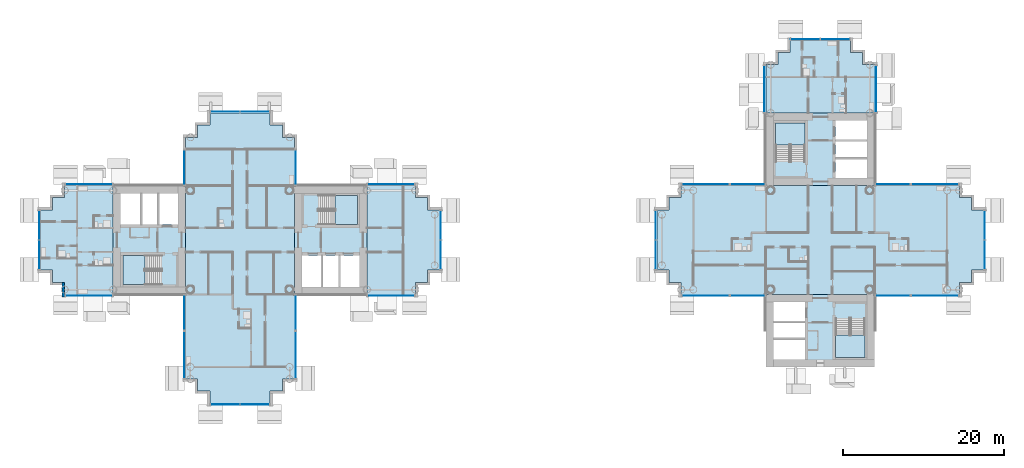
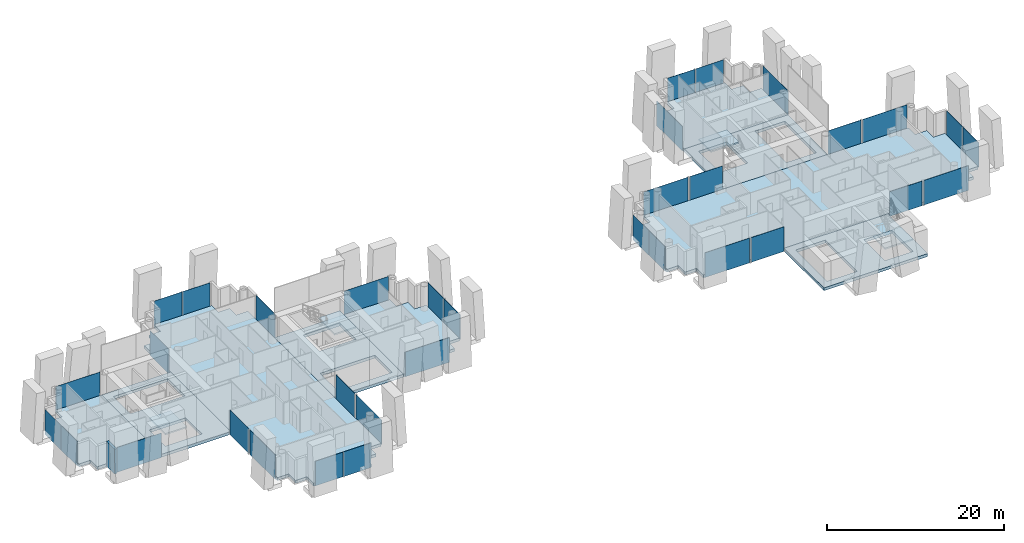
# One storey, part 7 of 21: 34 plates, 13 slabs, 1 wall, 31 elements without a shape of their own.
"""IFC4 building model written with IfcOpenShell, lengths in metres."""

from ifc_helpers import new_model, si_unit, direction, frame, frame_2d, origin, origin_2d, place, context, subcontext, project, spatial, polyline, rectangle, outline, extrude, material, layer, layer_set, type_object, element, aggregate, save


model = new_model("IFC4")

# Units and contexts
model_context = context("Model", 3, precision=1e-05, world=origin(), true_north=direction((0.0, 1.0)))
body_context = subcontext(model_context, "Body", "Model", "MODEL_VIEW")
ifc_project = project(units=[si_unit("LENGTHUNIT", "METRE"), si_unit("AREAUNIT", "SQUARE_METRE"), si_unit("VOLUMEUNIT", "CUBIC_METRE"), si_unit("PLANEANGLEUNIT", "RADIAN"), si_unit("MASSUNIT", "GRAM", prefix="KILO")], contexts=[model_context])

# Site, building, storey
site_placement = place(None, origin())
site = spatial("IfcSite", under=ifc_project, at=site_placement, CompositionType="ELEMENT")
building_placement = place(site_placement, origin())
building = spatial("IfcBuilding", under=site, at=building_placement, Name="Ipe Terrace Towers", CompositionType="ELEMENT")
storey_placement = place(building_placement, frame((0.0, 0.0, 80.0)))
storey = spatial("IfcBuildingStorey", under=building, at=storey_placement, Name="L21", CompositionType="ELEMENT", Elevation=80.0)

# Slabs
ifc_material_1 = material(Name="Concrete C30/37", Category="concrete")
ifc_layer_1 = layer(ifc_material_1, 0.39990234375)
ifc_layer_set_1 = layer_set([ifc_layer_1], Name="CORE FLOOR SLAB 400 C30-37")
slab_type_1 = type_object("IfcSlabType", Name="CORE FLOOR SLAB 400 C30-37", PredefinedType="FLOOR", material=ifc_layer_set_1)
slab_1_placement = place(storey_placement, frame((0.0, 0.0, -0.39990234375)))
element("IfcSlab", 1, at=slab_1_placement, inside=storey, type_object=slab_type_1, Name="Core floor T1-C1", PredefinedType="FLOOR", context=body_context, shape_type="SweptSolid", body=[
    extrude(outline(polyline([(-29.25, -6.75), (-29.25, 6.75), (-20.25, 6.75), (-20.25, -6.75), (-29.25, -6.75)]), holes=[polyline([(-28.300048828125, -5.800048828125), (-21.199951171875, -5.800048828125), (-21.199951171875, -1.89990234375), (-28.300048828125, -1.89990234375), (-28.300048828125, -5.800048828125)]), polyline([(-26.199951171875, 5.550048828125), (-26.199951171875, 1.89990234375), (-21.449951171875, 1.89990234375), (-21.449951171875, 5.550048828125), (-26.199951171875, 5.550048828125)])]), origin(), (0.0, 0.0, 1.0), 0.39990234375),
])
slab_2_placement = place(storey_placement, frame((0.0, 0.0, -0.39990234375)))
element("IfcSlab", 2, at=slab_2_placement, inside=storey, type_object=slab_type_1, Name="Core floor T1-C2", PredefinedType="FLOOR", context=body_context, shape_type="SweptSolid", body=[
    extrude(outline(polyline([(-51.75, -6.75), (-51.75, 6.75), (-42.75, 6.75), (-42.75, -6.75), (-51.75, -6.75)]), holes=[polyline([(-45.800048828125, -5.550048828125), (-45.800048828125, -1.89990234375), (-50.550048828125, -1.89990234375), (-50.550048828125, -5.550048828125), (-45.800048828125, -5.550048828125)]), polyline([(-50.800048828125, 1.89990234375), (-43.699951171875, 1.89990234375), (-43.699951171875, 5.800048828125), (-50.800048828125, 5.800048828125), (-50.800048828125, 1.89990234375)])]), origin(), (0.0, 0.0, 1.0), 0.39990234375),
])
slab_3_placement = place(storey_placement, frame((0.0, 0.0, -0.39990234375)))
element("IfcSlab", 3, at=slab_3_placement, inside=storey, type_object=slab_type_1, Name="Core floor T2-C1", PredefinedType="FLOOR", context=body_context, shape_type="SweptSolid", body=[
    extrude(outline(polyline([(29.25, 6.75), (29.25, 15.75), (42.75, 15.75), (42.75, 6.75), (29.25, 6.75)]), holes=[polyline([(41.800048828125, 7.699951171875), (41.800048828125, 14.800048828125), (37.89990234375, 14.800048828125), (37.89990234375, 7.699951171875), (41.800048828125, 7.699951171875)]), polyline([(30.449951171875, 9.800048828125), (34.10009765625, 9.800048828125), (34.10009765625, 14.550048828125), (30.449951171875, 14.550048828125), (30.449951171875, 9.800048828125)])]), origin(), (0.0, 0.0, 1.0), 0.39990234375),
])
slab_4_placement = place(storey_placement, frame((0.0, 0.0, -0.39990234375)))
element("IfcSlab", 4, at=slab_4_placement, inside=storey, type_object=slab_type_1, Name="Core floor T2-C2", PredefinedType="FLOOR", context=body_context, shape_type="SweptSolid", body=[
    extrude(outline(polyline([(29.25, -15.75), (29.25, -6.75), (42.75, -6.75), (42.75, -15.75), (29.25, -15.75)]), holes=[polyline([(34.10009765625, -14.800048828125), (34.10009765625, -7.699951171875), (30.199951171875, -7.699951171875), (30.199951171875, -14.800048828125), (34.10009765625, -14.800048828125)]), polyline([(41.550048828125, -9.800048828125), (37.89990234375, -9.800048828125), (37.89990234375, -14.550048828125), (41.550048828125, -14.550048828125), (41.550048828125, -9.800048828125)])]), origin(), (0.0, 0.0, 1.0), 0.39990234375),
])

# Stair, slab
ifc_material_2 = material(Name="Concrete C30/37", Category="concrete")
stair_type = type_object("IfcStairType", Name="Protected exit stair", PredefinedType="HALF_TURN_STAIR", material=ifc_material_2)
stair_1_placement = place(storey_placement, origin())
stair_1 = element("IfcStair", 5, at=stair_1_placement, inside=storey, type_object=stair_type, Name="L21 Exit stair T1-C1", PredefinedType="HALF_TURN_STAIR")
ifc_material_3 = material(Name="Concrete C30/37", Category="concrete")
ifc_layer_2 = layer(ifc_material_3, 0.199951171875)
ifc_layer_set_2 = layer_set([ifc_layer_2], Name="Exit stair landing 200")
slab_type_2 = type_object("IfcSlabType", Name="Exit stair landing 200", PredefinedType="LANDING", material=ifc_layer_set_2)
slab_5_placement = place(storey_placement, frame((0.0, 0.0, 1.5)))
slab_5 = element("IfcSlab", 6, at=slab_5_placement, type_object=slab_type_2, Name="T1-ST1 landing 1", PredefinedType="LANDING", context=body_context, shape_type="SweptSolid", body=[
    extrude(outline(polyline([(-24.219970703125, 1.89990234375), (-21.449951171875, 1.89990234375), (-21.449951171875, 5.550048828125), (-24.219970703125, 5.550048828125), (-24.219970703125, 1.89990234375)])), origin(), (0.0, 0.0, 1.0), 0.199951171875),
])
aggregate(stair_1, [slab_5])

stair_2_placement = place(storey_placement, origin())
stair_2 = element("IfcStair", 7, at=stair_2_placement, inside=storey, type_object=stair_type, Name="L21 Exit stair T1-C2", PredefinedType="HALF_TURN_STAIR")
slab_6_placement = place(storey_placement, frame((0.0, 0.0, 1.5)))
slab_6 = element("IfcSlab", 8, at=slab_6_placement, type_object=slab_type_2, Name="T1-ST2 landing 1", PredefinedType="LANDING", context=body_context, shape_type="SweptSolid", body=[
    extrude(outline(polyline([(-47.780029296875, -1.89990234375), (-50.550048828125, -1.89990234375), (-50.550048828125, -5.550048828125), (-47.780029296875, -5.550048828125), (-47.780029296875, -1.89990234375)])), origin(), (0.0, 0.0, 1.0), 0.199951171875),
])
aggregate(stair_2, [slab_6])

stair_3_placement = place(storey_placement, origin())
stair_3 = element("IfcStair", 9, at=stair_3_placement, inside=storey, type_object=stair_type, Name="L21 Exit stair T2-C1", PredefinedType="HALF_TURN_STAIR")
slab_7_placement = place(storey_placement, frame((0.0, 0.0, 1.5)))
slab_7 = element("IfcSlab", 10, at=slab_7_placement, type_object=slab_type_2, Name="T2-ST1 landing 1", PredefinedType="LANDING", context=body_context, shape_type="SweptSolid", body=[
    extrude(outline(polyline([(34.10009765625, 11.780029296875), (34.10009765625, 14.550048828125), (30.449951171875, 14.550048828125), (30.449951171875, 11.780029296875), (34.10009765625, 11.780029296875)])), origin(), (0.0, 0.0, 1.0), 0.199951171875),
])
aggregate(stair_3, [slab_7])

stair_4_placement = place(storey_placement, origin())
stair_4 = element("IfcStair", 11, at=stair_4_placement, inside=storey, type_object=stair_type, Name="L21 Exit stair T2-C2", PredefinedType="HALF_TURN_STAIR")
slab_8_placement = place(storey_placement, frame((0.0, 0.0, 1.5)))
slab_8 = element("IfcSlab", 12, at=slab_8_placement, type_object=slab_type_2, Name="T2-ST2 landing 1", PredefinedType="LANDING", context=body_context, shape_type="SweptSolid", body=[
    extrude(outline(polyline([(37.89990234375, -11.780029296875), (37.89990234375, -14.550048828125), (41.550048828125, -14.550048828125), (41.550048828125, -11.780029296875), (37.89990234375, -11.780029296875)])), origin(), (0.0, 0.0, 1.0), 0.199951171875),
])
aggregate(stair_4, [slab_8])

# Slabs
ifc_material_4 = material(Name="Concrete C40/50", Category="concrete")
ifc_layer_3 = layer(ifc_material_4, 0.39990234375)
ifc_layer_set_3 = layer_set([ifc_layer_3], Name="FLAT PLATE SLAB 400 C40-50")
slab_type_3 = type_object("IfcSlabType", Name="FLAT PLATE SLAB 400 C40-50", PredefinedType="FLOOR", material=ifc_layer_set_3)
slab_9_placement = place(storey_placement, frame((0.0, 0.0, -0.39990234375)))
element("IfcSlab", 13, at=slab_9_placement, inside=storey, type_object=slab_type_3, Name="Slab T1-FS-Z21", PredefinedType="FLOOR", context=body_context, shape_type="SweptSolid", body=[
    extrude(outline(polyline([(-30.75, -17.25), (-30.75, -18.75), (-32.25, -18.75), (-32.25, -20.25), (-39.75, -20.25), (-39.75, -18.75), (-41.25, -18.75), (-41.25, -17.25), (-42.75, -17.25), (-42.75, -6.75), (-42.75, 6.75), (-42.75, 12.75), (-41.25, 12.75), (-41.25, 14.25), (-39.75, 14.25), (-39.75, 15.75), (-32.25, 15.75), (-32.25, 14.25), (-30.75, 14.25), (-30.75, 12.75), (-29.25, 12.75), (-29.25, 6.75), (-29.25, -6.75), (-29.25, -17.25), (-30.75, -17.25)])), origin(), (0.0, 0.0, 1.0), 0.39990234375),
])
slab_10_placement = place(storey_placement, frame((0.0, 0.0, -0.39990234375)))
element("IfcSlab", 14, at=slab_10_placement, inside=storey, type_object=slab_type_3, Name="Slab T1-FS-Z22", PredefinedType="FLOOR", context=body_context, shape_type="SweptSolid", body=[
    extrude(outline(polyline([(-57.75, -6.75), (-57.75, -5.25), (-59.25, -5.25), (-59.25, -3.75), (-60.75, -3.75), (-60.75, 3.75), (-59.25, 3.75), (-59.25, 5.25), (-57.75, 5.25), (-57.75, 6.75), (-51.75, 6.75), (-51.75, -6.75), (-57.75, -6.75)])), origin(), (0.0, 0.0, 1.0), 0.39990234375),
])
slab_11_placement = place(storey_placement, frame((0.0, 0.0, -0.39990234375)))
element("IfcSlab", 15, at=slab_11_placement, inside=storey, type_object=slab_type_3, Name="Slab T1-FS-Z23", PredefinedType="FLOOR", context=body_context, shape_type="SweptSolid", body=[
    extrude(outline(polyline([(-14.25, 5.25), (-12.75, 5.25), (-12.75, 3.75), (-11.25, 3.75), (-11.25, -3.75), (-12.75, -3.75), (-12.75, -5.25), (-14.25, -5.25), (-14.25, -6.75), (-20.25, -6.75), (-20.25, 6.75), (-14.25, 6.75), (-14.25, 5.25)])), origin(), (0.0, 0.0, 1.0), 0.39990234375),
])
slab_12_placement = place(storey_placement, frame((0.0, 0.0, -0.39990234375)))
element("IfcSlab", 16, at=slab_12_placement, inside=storey, type_object=slab_type_3, Name="Slab T2-FS-Z21", PredefinedType="FLOOR", context=body_context, shape_type="SweptSolid", body=[
    extrude(outline(polyline([(53.25, 5.25), (54.75, 5.25), (54.75, 3.75), (56.25, 3.75), (56.25, -3.75), (54.75, -3.75), (54.75, -5.25), (53.25, -5.25), (53.25, -6.75), (42.75, -6.75), (29.25, -6.75), (18.75, -6.75), (18.75, -5.25), (17.25, -5.25), (17.25, -3.75), (15.75, -3.75), (15.75, 3.75), (17.25, 3.75), (17.25, 5.25), (18.75, 5.25), (18.75, 6.75), (29.25, 6.75), (42.75, 6.75), (53.25, 6.75), (53.25, 5.25)])), origin(), (0.0, 0.0, 1.0), 0.39990234375),
])
slab_13_placement = place(storey_placement, frame((0.0, 0.0, -0.39990234375)))
element("IfcSlab", 17, at=slab_13_placement, inside=storey, type_object=slab_type_3, Name="Slab T2-FS-Z22", PredefinedType="FLOOR", context=body_context, shape_type="SweptSolid", body=[
    extrude(outline(polyline([(30.75, 21.75), (30.75, 23.25), (32.25, 23.25), (32.25, 24.75), (39.75, 24.75), (39.75, 23.25), (41.25, 23.25), (41.25, 21.75), (42.75, 21.75), (42.75, 15.75), (29.25, 15.75), (29.25, 21.75), (30.75, 21.75)])), origin(), (0.0, 0.0, 1.0), 0.39990234375),
])

# Curtain wall, plate
ifc_material_5 = material(Name="Aluminium alloy 6063-T6", Category="aluminium")
ifc_layer_4 = layer(ifc_material_5, 0.320068359375)
ifc_layer_set_4 = layer_set([ifc_layer_4], Name="TOWER UNITISED CURTAIN WALL")
curtain_wall_type = type_object("IfcCurtainWallType", Name="TOWER UNITISED CURTAIN WALL", PredefinedType="NOTDEFINED", material=ifc_layer_set_4)
curtain_wall_1_placement = place(storey_placement, origin())
curtain_wall_1 = element("IfcCurtainWall", 18, at=curtain_wall_1_placement, inside=storey, type_object=curtain_wall_type, Name="T1-CW-L21-04a curtain wall", PredefinedType="NOTDEFINED")
ifc_material_6 = material(Name="Glass, clear laminated", Category="glass")
ifc_layer_5 = layer(ifc_material_6, 0.031982421875)
ifc_layer_set_5 = layer_set([ifc_layer_5], Name="TOWER UNITISED GLASS PANEL 32")
plate_type = type_object("IfcPlateType", Name="TOWER UNITISED GLASS PANEL 32", PredefinedType="CURTAIN_PANEL", material=ifc_layer_set_5)
plate_1_placement = place(storey_placement, frame((-54.75048828125, -6.909912109375, -0.300048828125), z_axis=(0.0, 0.0, 1.0), x_axis=(1.0, 0.0, 0.0)))
plate_1 = element("IfcPlate", 19, at=plate_1_placement, type_object=plate_type, Name="T1-CW-L21-04a panel 1", PredefinedType="CURTAIN_PANEL", context=body_context, shape_type="SweptSolid", body=[
    extrude(rectangle(XDim=5.759033203125, YDim=0.031982421875, at=origin_2d()), origin(), (0.0, 0.0, 1.0), 3.39990234375),
])
aggregate(curtain_wall_1, [plate_1])

curtain_wall_2_placement = place(storey_placement, origin())
curtain_wall_2 = element("IfcCurtainWall", 20, at=curtain_wall_2_placement, inside=storey, type_object=curtain_wall_type, Name="T1-CW-L21-06a curtain wall", PredefinedType="NOTDEFINED")
plate_2_placement = place(storey_placement, frame((-42.909912109375, -9.0, -0.300048828125), z_axis=(0.0, 0.0, 1.0), x_axis=(0.0, -1.0, 0.0)))
plate_2 = element("IfcPlate", 21, at=plate_2_placement, type_object=plate_type, Name="T1-CW-L21-06a panel 1", PredefinedType="CURTAIN_PANEL", context=body_context, shape_type="SweptSolid", body=[
    extrude(rectangle(XDim=4.260009765625, YDim=0.031982421875, at=origin_2d()), origin(), (0.0, 0.0, 1.0), 3.39990234375),
])
aggregate(curtain_wall_2, [plate_2])

curtain_wall_3_placement = place(storey_placement, origin())
curtain_wall_3 = element("IfcCurtainWall", 22, at=curtain_wall_3_placement, inside=storey, type_object=curtain_wall_type, Name="T1-CW-L21-07a curtain wall", PredefinedType="NOTDEFINED")
plate_3_placement = place(storey_placement, frame((-42.909912109375, -14.25, -0.300048828125), z_axis=(0.0, 0.0, 1.0), x_axis=(0.0, -1.0, 0.0)))
plate_3 = element("IfcPlate", 23, at=plate_3_placement, type_object=plate_type, Name="T1-CW-L21-07a panel 1", PredefinedType="CURTAIN_PANEL", context=body_context, shape_type="SweptSolid", body=[
    extrude(rectangle(XDim=5.760009765625, YDim=0.031982421875, at=origin_2d()), origin(), (0.0, 0.0, 1.0), 3.39990234375),
])
aggregate(curtain_wall_3, [plate_3])

# Curtain wall, plates
curtain_wall_4_placement = place(storey_placement, origin())
curtain_wall_4 = element("IfcCurtainWall", 24, at=curtain_wall_4_placement, inside=storey, type_object=curtain_wall_type, Name="T1-CW-L21-12a curtain wall", PredefinedType="NOTDEFINED")
plate_4_placement = place(storey_placement, frame((-37.831298828125, -20.409912109375, -0.300048828125), z_axis=(0.0, 0.0, 1.0), x_axis=(1.0, 0.0, 0.0)))
plate_4 = element("IfcPlate", 25, at=plate_4_placement, type_object=plate_type, Name="T1-CW-L21-12a panel 1", PredefinedType="CURTAIN_PANEL", context=body_context, shape_type="SweptSolid", body=[
    extrude(rectangle(XDim=3.597412109375, YDim=0.031982421875, at=origin_2d()), origin(), (0.0, 0.0, 1.0), 3.39990234375),
])
plate_5_placement = place(storey_placement, frame((-34.168701171875, -20.409912109375, -0.300048828125), z_axis=(0.0, 0.0, 1.0), x_axis=(1.0, 0.0, 0.0)))
plate_5 = element("IfcPlate", 26, at=plate_5_placement, type_object=plate_type, Name="T1-CW-L21-12a panel 2", PredefinedType="CURTAIN_PANEL", context=body_context, shape_type="SweptSolid", body=[
    extrude(rectangle(XDim=3.597412109375, YDim=0.031982421875, at=origin_2d()), origin(), (0.0, 0.0, 1.0), 3.39990234375),
])
aggregate(curtain_wall_4, [plate_4, plate_5])

# Curtain wall, plate
curtain_wall_5_placement = place(storey_placement, origin())
curtain_wall_5 = element("IfcCurtainWall", 27, at=curtain_wall_5_placement, inside=storey, type_object=curtain_wall_type, Name="T1-CW-L21-17a curtain wall", PredefinedType="NOTDEFINED")
plate_6_placement = place(storey_placement, frame((-29.090087890625, -14.25, -0.300048828125), z_axis=(0.0, 0.0, 1.0), x_axis=(0.0, 1.0, 0.0)))
plate_6 = element("IfcPlate", 28, at=plate_6_placement, type_object=plate_type, Name="T1-CW-L21-17a panel 1", PredefinedType="CURTAIN_PANEL", context=body_context, shape_type="SweptSolid", body=[
    extrude(rectangle(XDim=5.760009765625, YDim=0.031982421875, at=origin_2d()), origin(), (0.0, 0.0, 1.0), 3.39990234375),
])
aggregate(curtain_wall_5, [plate_6])

curtain_wall_6_placement = place(storey_placement, origin())
curtain_wall_6 = element("IfcCurtainWall", 29, at=curtain_wall_6_placement, inside=storey, type_object=curtain_wall_type, Name="T1-CW-L21-18a curtain wall", PredefinedType="NOTDEFINED")
plate_7_placement = place(storey_placement, frame((-29.090087890625, -9.0, -0.300048828125), z_axis=(0.0, 0.0, 1.0), x_axis=(0.0, 1.0, 0.0)))
plate_7 = element("IfcPlate", 30, at=plate_7_placement, type_object=plate_type, Name="T1-CW-L21-18a panel 1", PredefinedType="CURTAIN_PANEL", context=body_context, shape_type="SweptSolid", body=[
    extrude(rectangle(XDim=4.260009765625, YDim=0.031982421875, at=origin_2d()), origin(), (0.0, 0.0, 1.0), 3.39990234375),
])
aggregate(curtain_wall_6, [plate_7])

curtain_wall_7_placement = place(storey_placement, origin())
curtain_wall_7 = element("IfcCurtainWall", 31, at=curtain_wall_7_placement, inside=storey, type_object=curtain_wall_type, Name="T1-CW-L21-20b curtain wall", PredefinedType="NOTDEFINED")
plate_8_placement = place(storey_placement, frame((-17.24951171875, -6.909912109375, -0.300048828125), z_axis=(0.0, 0.0, 1.0), x_axis=(1.0, 0.0, 0.0)))
plate_8 = element("IfcPlate", 32, at=plate_8_placement, type_object=plate_type, Name="T1-CW-L21-20b panel 1", PredefinedType="CURTAIN_PANEL", context=body_context, shape_type="SweptSolid", body=[
    extrude(rectangle(XDim=5.759033203125, YDim=0.031982421875, at=origin_2d()), origin(), (0.0, 0.0, 1.0), 3.39990234375),
])
aggregate(curtain_wall_7, [plate_8])

# Curtain wall, plates
curtain_wall_8_placement = place(storey_placement, origin())
curtain_wall_8 = element("IfcCurtainWall", 33, at=curtain_wall_8_placement, inside=storey, type_object=curtain_wall_type, Name="T1-CW-L21-25a curtain wall", PredefinedType="NOTDEFINED")
plate_9_placement = place(storey_placement, frame((-11.090087890625, -1.831298828125, -0.300048828125), z_axis=(0.0, 0.0, 1.0), x_axis=(0.0, 1.0, 0.0)))
plate_9 = element("IfcPlate", 34, at=plate_9_placement, type_object=plate_type, Name="T1-CW-L21-25a panel 1", PredefinedType="CURTAIN_PANEL", context=body_context, shape_type="SweptSolid", body=[
    extrude(rectangle(XDim=3.597412109375, YDim=0.031982421875, at=origin_2d()), origin(), (0.0, 0.0, 1.0), 3.39990234375),
])
plate_10_placement = place(storey_placement, frame((-11.090087890625, 1.831298828125, -0.300048828125), z_axis=(0.0, 0.0, 1.0), x_axis=(0.0, 1.0, 0.0)))
plate_10 = element("IfcPlate", 35, at=plate_10_placement, type_object=plate_type, Name="T1-CW-L21-25a panel 2", PredefinedType="CURTAIN_PANEL", context=body_context, shape_type="SweptSolid", body=[
    extrude(rectangle(XDim=3.597412109375, YDim=0.031982421875, at=origin_2d()), origin(), (0.0, 0.0, 1.0), 3.39990234375),
])
aggregate(curtain_wall_8, [plate_9, plate_10])

# Curtain wall, plate
curtain_wall_9_placement = place(storey_placement, origin())
curtain_wall_9 = element("IfcCurtainWall", 36, at=curtain_wall_9_placement, inside=storey, type_object=curtain_wall_type, Name="T1-CW-L21-30a curtain wall", PredefinedType="NOTDEFINED")
plate_11_placement = place(storey_placement, frame((-17.24951171875, 6.909912109375, -0.300048828125), z_axis=(0.0, 0.0, 1.0), x_axis=(-1.0, 0.0, 0.0)))
plate_11 = element("IfcPlate", 37, at=plate_11_placement, type_object=plate_type, Name="T1-CW-L21-30a panel 1", PredefinedType="CURTAIN_PANEL", context=body_context, shape_type="SweptSolid", body=[
    extrude(rectangle(XDim=5.759033203125, YDim=0.031982421875, at=origin_2d()), origin(), (0.0, 0.0, 1.0), 3.39990234375),
])
aggregate(curtain_wall_9, [plate_11])

curtain_wall_10_placement = place(storey_placement, origin())
curtain_wall_10 = element("IfcCurtainWall", 38, at=curtain_wall_10_placement, inside=storey, type_object=curtain_wall_type, Name="T1-CW-L21-32a curtain wall", PredefinedType="NOTDEFINED")
plate_12_placement = place(storey_placement, frame((-29.090087890625, 9.0, -0.300048828125), z_axis=(0.0, 0.0, 1.0), x_axis=(0.0, 1.0, 0.0)))
plate_12 = element("IfcPlate", 39, at=plate_12_placement, type_object=plate_type, Name="T1-CW-L21-32a panel 1", PredefinedType="CURTAIN_PANEL", context=body_context, shape_type="SweptSolid", body=[
    extrude(rectangle(XDim=4.260009765625, YDim=0.031982421875, at=origin_2d()), origin(), (0.0, 0.0, 1.0), 3.39990234375),
])
aggregate(curtain_wall_10, [plate_12])

# Curtain wall, plates
curtain_wall_11_placement = place(storey_placement, origin())
curtain_wall_11 = element("IfcCurtainWall", 40, at=curtain_wall_11_placement, inside=storey, type_object=curtain_wall_type, Name="T1-CW-L21-38a curtain wall", PredefinedType="NOTDEFINED")
plate_13_placement = place(storey_placement, frame((-34.168701171875, 15.909912109375, -0.300048828125), z_axis=(0.0, 0.0, 1.0), x_axis=(-1.0, 0.0, 0.0)))
plate_13 = element("IfcPlate", 41, at=plate_13_placement, type_object=plate_type, Name="T1-CW-L21-38a panel 1", PredefinedType="CURTAIN_PANEL", context=body_context, shape_type="SweptSolid", body=[
    extrude(rectangle(XDim=3.597412109375, YDim=0.031982421875, at=origin_2d()), origin(), (0.0, 0.0, 1.0), 3.39990234375),
])
plate_14_placement = place(storey_placement, frame((-37.831298828125, 15.909912109375, -0.300048828125), z_axis=(0.0, 0.0, 1.0), x_axis=(-1.0, 0.0, 0.0)))
plate_14 = element("IfcPlate", 42, at=plate_14_placement, type_object=plate_type, Name="T1-CW-L21-38a panel 2", PredefinedType="CURTAIN_PANEL", context=body_context, shape_type="SweptSolid", body=[
    extrude(rectangle(XDim=3.597412109375, YDim=0.031982421875, at=origin_2d()), origin(), (0.0, 0.0, 1.0), 3.39990234375),
])
aggregate(curtain_wall_11, [plate_13, plate_14])

# Curtain wall, plate
curtain_wall_12_placement = place(storey_placement, origin())
curtain_wall_12 = element("IfcCurtainWall", 43, at=curtain_wall_12_placement, inside=storey, type_object=curtain_wall_type, Name="T1-CW-L21-44a curtain wall", PredefinedType="NOTDEFINED")
plate_15_placement = place(storey_placement, frame((-42.909912109375, 9.0, -0.300048828125), z_axis=(0.0, 0.0, 1.0), x_axis=(0.0, -1.0, 0.0)))
plate_15 = element("IfcPlate", 44, at=plate_15_placement, type_object=plate_type, Name="T1-CW-L21-44a panel 1", PredefinedType="CURTAIN_PANEL", context=body_context, shape_type="SweptSolid", body=[
    extrude(rectangle(XDim=4.260009765625, YDim=0.031982421875, at=origin_2d()), origin(), (0.0, 0.0, 1.0), 3.39990234375),
])
aggregate(curtain_wall_12, [plate_15])

curtain_wall_13_placement = place(storey_placement, origin())
curtain_wall_13 = element("IfcCurtainWall", 45, at=curtain_wall_13_placement, inside=storey, type_object=curtain_wall_type, Name="T1-CW-L21-46b curtain wall", PredefinedType="NOTDEFINED")
plate_16_placement = place(storey_placement, frame((-54.75048828125, 6.909912109375, -0.300048828125), z_axis=(0.0, 0.0, 1.0), x_axis=(-1.0, 0.0, 0.0)))
plate_16 = element("IfcPlate", 46, at=plate_16_placement, type_object=plate_type, Name="T1-CW-L21-46b panel 1", PredefinedType="CURTAIN_PANEL", context=body_context, shape_type="SweptSolid", body=[
    extrude(rectangle(XDim=5.759033203125, YDim=0.031982421875, at=origin_2d()), origin(), (0.0, 0.0, 1.0), 3.39990234375),
])
aggregate(curtain_wall_13, [plate_16])

# Curtain wall, plates
curtain_wall_14_placement = place(storey_placement, origin())
curtain_wall_14 = element("IfcCurtainWall", 47, at=curtain_wall_14_placement, inside=storey, type_object=curtain_wall_type, Name="T1-CW-L21-51a curtain wall", PredefinedType="NOTDEFINED")
plate_17_placement = place(storey_placement, frame((-60.909912109375, 1.831298828125, -0.300048828125), z_axis=(0.0, 0.0, 1.0), x_axis=(0.0, -1.0, 0.0)))
plate_17 = element("IfcPlate", 48, at=plate_17_placement, type_object=plate_type, Name="T1-CW-L21-51a panel 1", PredefinedType="CURTAIN_PANEL", context=body_context, shape_type="SweptSolid", body=[
    extrude(rectangle(XDim=3.597412109375, YDim=0.031982421875, at=origin_2d()), origin(), (0.0, 0.0, 1.0), 3.39990234375),
])
plate_18_placement = place(storey_placement, frame((-60.909912109375, -1.831298828125, -0.300048828125), z_axis=(0.0, 0.0, 1.0), x_axis=(0.0, -1.0, 0.0)))
plate_18 = element("IfcPlate", 49, at=plate_18_placement, type_object=plate_type, Name="T1-CW-L21-51a panel 2", PredefinedType="CURTAIN_PANEL", context=body_context, shape_type="SweptSolid", body=[
    extrude(rectangle(XDim=3.597412109375, YDim=0.031982421875, at=origin_2d()), origin(), (0.0, 0.0, 1.0), 3.39990234375),
])
aggregate(curtain_wall_14, [plate_17, plate_18])

# Curtain wall, plate
curtain_wall_15_placement = place(storey_placement, origin())
curtain_wall_15 = element("IfcCurtainWall", 50, at=curtain_wall_15_placement, inside=storey, type_object=curtain_wall_type, Name="T2-CW-L21-02a curtain wall", PredefinedType="NOTDEFINED")
plate_19_placement = place(storey_placement, frame((45.0, -6.909912109375, -0.300048828125), z_axis=(0.0, 0.0, 1.0), x_axis=(1.0, 0.0, 0.0)))
plate_19 = element("IfcPlate", 51, at=plate_19_placement, type_object=plate_type, Name="T2-CW-L21-02a panel 1", PredefinedType="CURTAIN_PANEL", context=body_context, shape_type="SweptSolid", body=[
    extrude(rectangle(XDim=4.260009765625, YDim=0.031982421875, at=origin_2d()), origin(), (0.0, 0.0, 1.0), 3.39990234375),
])
aggregate(curtain_wall_15, [plate_19])

curtain_wall_16_placement = place(storey_placement, origin())
curtain_wall_16 = element("IfcCurtainWall", 52, at=curtain_wall_16_placement, inside=storey, type_object=curtain_wall_type, Name="T2-CW-L21-03a curtain wall", PredefinedType="NOTDEFINED")
plate_20_placement = place(storey_placement, frame((50.25, -6.909912109375, -0.300048828125), z_axis=(0.0, 0.0, 1.0), x_axis=(1.0, 0.0, 0.0)))
plate_20 = element("IfcPlate", 53, at=plate_20_placement, type_object=plate_type, Name="T2-CW-L21-03a panel 1", PredefinedType="CURTAIN_PANEL", context=body_context, shape_type="SweptSolid", body=[
    extrude(rectangle(XDim=5.760009765625, YDim=0.031982421875, at=origin_2d()), origin(), (0.0, 0.0, 1.0), 3.39990234375),
])
aggregate(curtain_wall_16, [plate_20])

# Curtain wall, plates
curtain_wall_17_placement = place(storey_placement, origin())
curtain_wall_17 = element("IfcCurtainWall", 54, at=curtain_wall_17_placement, inside=storey, type_object=curtain_wall_type, Name="T2-CW-L21-08a curtain wall", PredefinedType="NOTDEFINED")
plate_21_placement = place(storey_placement, frame((56.409912109375, -1.831298828125, -0.300048828125), z_axis=(0.0, 0.0, 1.0), x_axis=(0.0, 1.0, 0.0)))
plate_21 = element("IfcPlate", 55, at=plate_21_placement, type_object=plate_type, Name="T2-CW-L21-08a panel 1", PredefinedType="CURTAIN_PANEL", context=body_context, shape_type="SweptSolid", body=[
    extrude(rectangle(XDim=3.597412109375, YDim=0.031982421875, at=origin_2d()), origin(), (0.0, 0.0, 1.0), 3.39990234375),
])
plate_22_placement = place(storey_placement, frame((56.409912109375, 1.831298828125, -0.300048828125), z_axis=(0.0, 0.0, 1.0), x_axis=(0.0, 1.0, 0.0)))
plate_22 = element("IfcPlate", 56, at=plate_22_placement, type_object=plate_type, Name="T2-CW-L21-08a panel 2", PredefinedType="CURTAIN_PANEL", context=body_context, shape_type="SweptSolid", body=[
    extrude(rectangle(XDim=3.597412109375, YDim=0.031982421875, at=origin_2d()), origin(), (0.0, 0.0, 1.0), 3.39990234375),
])
aggregate(curtain_wall_17, [plate_21, plate_22])

# Curtain wall, plate
curtain_wall_18_placement = place(storey_placement, origin())
curtain_wall_18 = element("IfcCurtainWall", 57, at=curtain_wall_18_placement, inside=storey, type_object=curtain_wall_type, Name="T2-CW-L21-13a curtain wall", PredefinedType="NOTDEFINED")
plate_23_placement = place(storey_placement, frame((50.25, 6.909912109375, -0.300048828125), z_axis=(0.0, 0.0, 1.0), x_axis=(-1.0, 0.0, 0.0)))
plate_23 = element("IfcPlate", 58, at=plate_23_placement, type_object=plate_type, Name="T2-CW-L21-13a panel 1", PredefinedType="CURTAIN_PANEL", context=body_context, shape_type="SweptSolid", body=[
    extrude(rectangle(XDim=5.760009765625, YDim=0.031982421875, at=origin_2d()), origin(), (0.0, 0.0, 1.0), 3.39990234375),
])
aggregate(curtain_wall_18, [plate_23])

curtain_wall_19_placement = place(storey_placement, origin())
curtain_wall_19 = element("IfcCurtainWall", 59, at=curtain_wall_19_placement, inside=storey, type_object=curtain_wall_type, Name="T2-CW-L21-14a curtain wall", PredefinedType="NOTDEFINED")
plate_24_placement = place(storey_placement, frame((45.0, 6.909912109375, -0.300048828125), z_axis=(0.0, 0.0, 1.0), x_axis=(-1.0, 0.0, 0.0)))
plate_24 = element("IfcPlate", 60, at=plate_24_placement, type_object=plate_type, Name="T2-CW-L21-14a panel 1", PredefinedType="CURTAIN_PANEL", context=body_context, shape_type="SweptSolid", body=[
    extrude(rectangle(XDim=4.260009765625, YDim=0.031982421875, at=origin_2d()), origin(), (0.0, 0.0, 1.0), 3.39990234375),
])
aggregate(curtain_wall_19, [plate_24])

curtain_wall_20_placement = place(storey_placement, origin())
curtain_wall_20 = element("IfcCurtainWall", 61, at=curtain_wall_20_placement, inside=storey, type_object=curtain_wall_type, Name="T2-CW-L21-16b curtain wall", PredefinedType="NOTDEFINED")
plate_25_placement = place(storey_placement, frame((42.909912109375, 18.75048828125, -0.300048828125), z_axis=(0.0, 0.0, 1.0), x_axis=(0.0, 1.0, 0.0)))
plate_25 = element("IfcPlate", 62, at=plate_25_placement, type_object=plate_type, Name="T2-CW-L21-16b panel 1", PredefinedType="CURTAIN_PANEL", context=body_context, shape_type="SweptSolid", body=[
    extrude(rectangle(XDim=5.759033203125, YDim=0.031982421875, at=origin_2d()), origin(), (0.0, 0.0, 1.0), 3.39990234375),
])
aggregate(curtain_wall_20, [plate_25])

# Curtain wall, plates
curtain_wall_21_placement = place(storey_placement, origin())
curtain_wall_21 = element("IfcCurtainWall", 63, at=curtain_wall_21_placement, inside=storey, type_object=curtain_wall_type, Name="T2-CW-L21-21a curtain wall", PredefinedType="NOTDEFINED")
plate_26_placement = place(storey_placement, frame((37.831298828125, 24.909912109375, -0.300048828125), z_axis=(0.0, 0.0, 1.0), x_axis=(-1.0, 0.0, 0.0)))
plate_26 = element("IfcPlate", 64, at=plate_26_placement, type_object=plate_type, Name="T2-CW-L21-21a panel 1", PredefinedType="CURTAIN_PANEL", context=body_context, shape_type="SweptSolid", body=[
    extrude(rectangle(XDim=3.597412109375, YDim=0.031982421875, at=origin_2d()), origin(), (0.0, 0.0, 1.0), 3.39990234375),
])
plate_27_placement = place(storey_placement, frame((34.168701171875, 24.909912109375, -0.300048828125), z_axis=(0.0, 0.0, 1.0), x_axis=(-1.0, 0.0, 0.0)))
plate_27 = element("IfcPlate", 65, at=plate_27_placement, type_object=plate_type, Name="T2-CW-L21-21a panel 2", PredefinedType="CURTAIN_PANEL", context=body_context, shape_type="SweptSolid", body=[
    extrude(rectangle(XDim=3.597412109375, YDim=0.031982421875, at=origin_2d()), origin(), (0.0, 0.0, 1.0), 3.39990234375),
])
aggregate(curtain_wall_21, [plate_26, plate_27])

# Curtain wall, plate
curtain_wall_22_placement = place(storey_placement, origin())
curtain_wall_22 = element("IfcCurtainWall", 66, at=curtain_wall_22_placement, inside=storey, type_object=curtain_wall_type, Name="T2-CW-L21-26a curtain wall", PredefinedType="NOTDEFINED")
plate_28_placement = place(storey_placement, frame((29.090087890625, 18.75048828125, -0.300048828125), z_axis=(0.0, 0.0, 1.0), x_axis=(0.0, -1.0, 0.0)))
plate_28 = element("IfcPlate", 67, at=plate_28_placement, type_object=plate_type, Name="T2-CW-L21-26a panel 1", PredefinedType="CURTAIN_PANEL", context=body_context, shape_type="SweptSolid", body=[
    extrude(rectangle(XDim=5.759033203125, YDim=0.031982421875, at=origin_2d()), origin(), (0.0, 0.0, 1.0), 3.39990234375),
])
aggregate(curtain_wall_22, [plate_28])

curtain_wall_23_placement = place(storey_placement, origin())
curtain_wall_23 = element("IfcCurtainWall", 68, at=curtain_wall_23_placement, inside=storey, type_object=curtain_wall_type, Name="T2-CW-L21-28a curtain wall", PredefinedType="NOTDEFINED")
plate_29_placement = place(storey_placement, frame((27.0, 6.909912109375, -0.300048828125), z_axis=(0.0, 0.0, 1.0), x_axis=(-1.0, 0.0, 0.0)))
plate_29 = element("IfcPlate", 69, at=plate_29_placement, type_object=plate_type, Name="T2-CW-L21-28a panel 1", PredefinedType="CURTAIN_PANEL", context=body_context, shape_type="SweptSolid", body=[
    extrude(rectangle(XDim=4.260009765625, YDim=0.031982421875, at=origin_2d()), origin(), (0.0, 0.0, 1.0), 3.39990234375),
])
aggregate(curtain_wall_23, [plate_29])

curtain_wall_24_placement = place(storey_placement, origin())
curtain_wall_24 = element("IfcCurtainWall", 70, at=curtain_wall_24_placement, inside=storey, type_object=curtain_wall_type, Name="T2-CW-L21-29a curtain wall", PredefinedType="NOTDEFINED")
plate_30_placement = place(storey_placement, frame((21.75, 6.909912109375, -0.300048828125), z_axis=(0.0, 0.0, 1.0), x_axis=(-1.0, 0.0, 0.0)))
plate_30 = element("IfcPlate", 71, at=plate_30_placement, type_object=plate_type, Name="T2-CW-L21-29a panel 1", PredefinedType="CURTAIN_PANEL", context=body_context, shape_type="SweptSolid", body=[
    extrude(rectangle(XDim=5.760009765625, YDim=0.031982421875, at=origin_2d()), origin(), (0.0, 0.0, 1.0), 3.39990234375),
])
aggregate(curtain_wall_24, [plate_30])

# Curtain wall, plates
curtain_wall_25_placement = place(storey_placement, origin())
curtain_wall_25 = element("IfcCurtainWall", 72, at=curtain_wall_25_placement, inside=storey, type_object=curtain_wall_type, Name="T2-CW-L21-34a curtain wall", PredefinedType="NOTDEFINED")
plate_31_placement = place(storey_placement, frame((15.590087890625, 1.831298828125, -0.300048828125), z_axis=(0.0, 0.0, 1.0), x_axis=(0.0, -1.0, 0.0)))
plate_31 = element("IfcPlate", 73, at=plate_31_placement, type_object=plate_type, Name="T2-CW-L21-34a panel 1", PredefinedType="CURTAIN_PANEL", context=body_context, shape_type="SweptSolid", body=[
    extrude(rectangle(XDim=3.597412109375, YDim=0.031982421875, at=origin_2d()), origin(), (0.0, 0.0, 1.0), 3.39990234375),
])
plate_32_placement = place(storey_placement, frame((15.590087890625, -1.831298828125, -0.300048828125), z_axis=(0.0, 0.0, 1.0), x_axis=(0.0, -1.0, 0.0)))
plate_32 = element("IfcPlate", 74, at=plate_32_placement, type_object=plate_type, Name="T2-CW-L21-34a panel 2", PredefinedType="CURTAIN_PANEL", context=body_context, shape_type="SweptSolid", body=[
    extrude(rectangle(XDim=3.597412109375, YDim=0.031982421875, at=origin_2d()), origin(), (0.0, 0.0, 1.0), 3.39990234375),
])
aggregate(curtain_wall_25, [plate_31, plate_32])

# Curtain wall, plate
curtain_wall_26_placement = place(storey_placement, origin())
curtain_wall_26 = element("IfcCurtainWall", 75, at=curtain_wall_26_placement, inside=storey, type_object=curtain_wall_type, Name="T2-CW-L21-39a curtain wall", PredefinedType="NOTDEFINED")
plate_33_placement = place(storey_placement, frame((21.75, -6.909912109375, -0.300048828125), z_axis=(0.0, 0.0, 1.0), x_axis=(1.0, 0.0, 0.0)))
plate_33 = element("IfcPlate", 76, at=plate_33_placement, type_object=plate_type, Name="T2-CW-L21-39a panel 1", PredefinedType="CURTAIN_PANEL", context=body_context, shape_type="SweptSolid", body=[
    extrude(rectangle(XDim=5.760009765625, YDim=0.031982421875, at=origin_2d()), origin(), (0.0, 0.0, 1.0), 3.39990234375),
])
aggregate(curtain_wall_26, [plate_33])

curtain_wall_27_placement = place(storey_placement, origin())
curtain_wall_27 = element("IfcCurtainWall", 77, at=curtain_wall_27_placement, inside=storey, type_object=curtain_wall_type, Name="T2-CW-L21-40a curtain wall", PredefinedType="NOTDEFINED")
plate_34_placement = place(storey_placement, frame((27.0, -6.909912109375, -0.300048828125), z_axis=(0.0, 0.0, 1.0), x_axis=(1.0, 0.0, 0.0)))
plate_34 = element("IfcPlate", 78, at=plate_34_placement, type_object=plate_type, Name="T2-CW-L21-40a panel 1", PredefinedType="CURTAIN_PANEL", context=body_context, shape_type="SweptSolid", body=[
    extrude(rectangle(XDim=4.260009765625, YDim=0.031982421875, at=origin_2d()), origin(), (0.0, 0.0, 1.0), 3.39990234375),
])
aggregate(curtain_wall_27, [plate_34])

# Wall
ifc_material_7 = material(Name="Concrete C40/50 with buff precast cladding", Category="concrete")
ifc_layer_6 = layer(ifc_material_7, 0.320068359375)
ifc_layer_set_6 = layer_set([ifc_layer_6], Name="BUFF CLADDING WALL 320")
wall_type = type_object("IfcWallType", Name="BUFF CLADDING WALL 320", PredefinedType="STANDARD", material=ifc_layer_set_6)
wall_placement = place(storey_placement, frame((-57.909912109375, -5.25, -0.300048828125), z_axis=(0.0, 0.0, 1.0), x_axis=(0.0, -1.0, 0.0)))
element("IfcWall", 79, at=wall_placement, inside=storey, type_object=wall_type, Name="T1-W-L21-03a wall", PredefinedType="STANDARD", context=body_context, shape_type="SweptSolid", body=[
    extrude(rectangle(XDim=1.820068359375, YDim=0.320068359375, at=frame_2d((0.91015625, 0.0))), origin(), (0.0, 0.0, 1.0), 3.400146484375),
])

save(model, "model.ifc")
